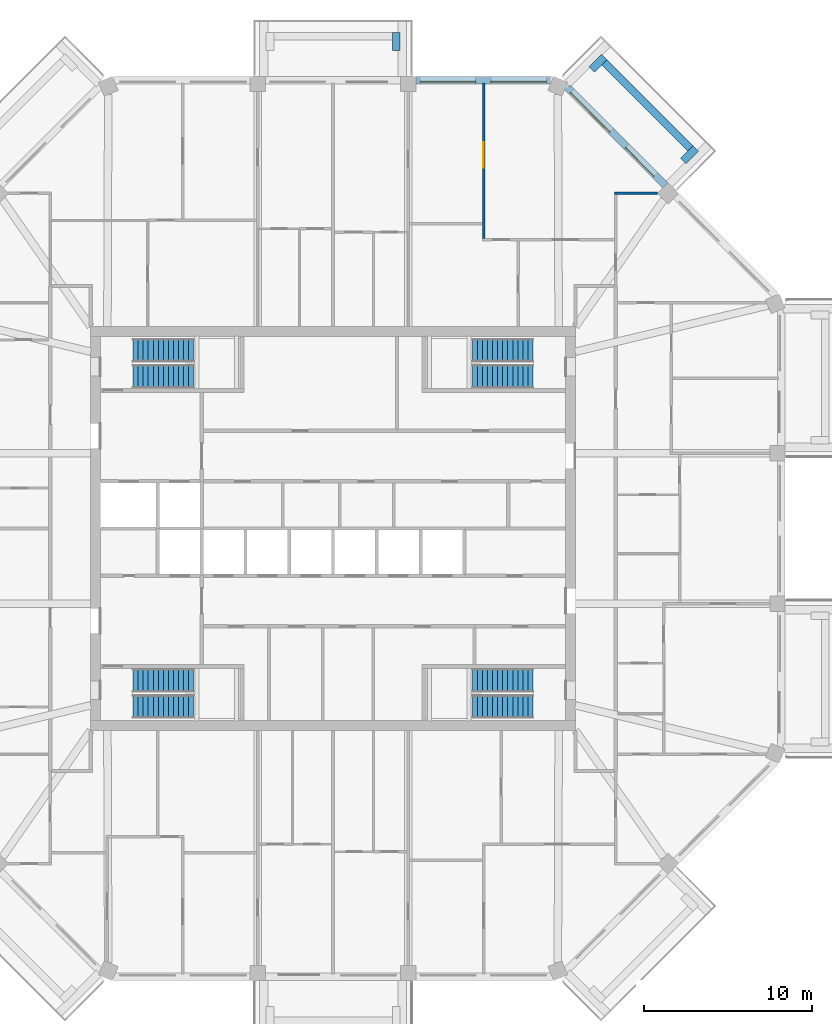
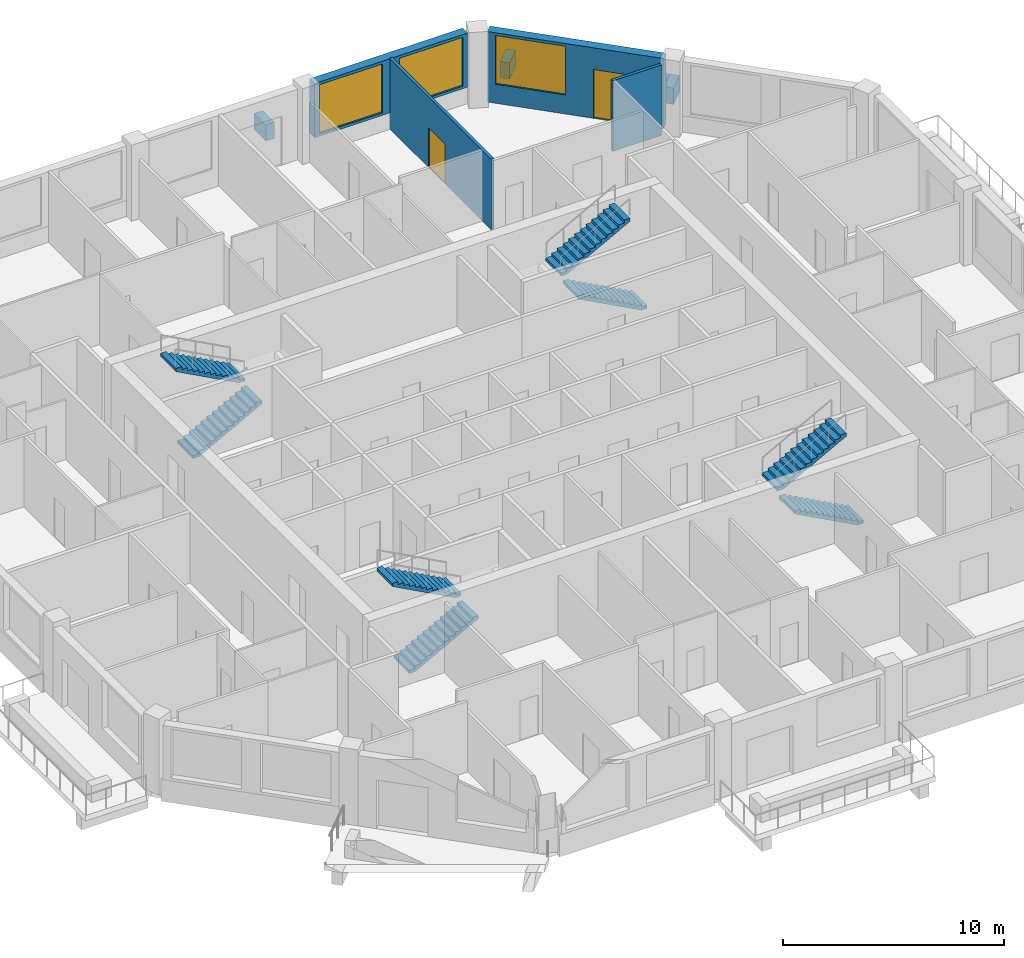
# One storey, part 10 of 12: 8 stair flights, 8 walls, 3 windows, 2 doors, 5 openings, 4 elements without a shape of their own.
"""IFC4 building model written with IfcOpenShell, lengths in metres."""

from ifc_helpers import new_model, si_unit, direction, frame, frame_2d, origin, place, context, subcontext, project, spatial, polyline, rectangle, outline, extrude, material, layer, layer_set, type_object, element, fill, aggregate, save


model = new_model("IFC4")

# Units and contexts
model_context = context("Model", 3, precision=1e-05, world=origin(), true_north=direction((0.0, 1.0)))
body_context = subcontext(model_context, "Body", "Model", "MODEL_VIEW")
ifc_project = project(units=[si_unit("LENGTHUNIT", "METRE"), si_unit("AREAUNIT", "SQUARE_METRE"), si_unit("VOLUMEUNIT", "CUBIC_METRE"), si_unit("PLANEANGLEUNIT", "RADIAN"), si_unit("MASSUNIT", "GRAM", prefix="KILO")], contexts=[model_context])

# Site, building, storey
site_placement = place(None, origin())
site = spatial("IfcSite", under=ifc_project, at=site_placement, CompositionType="ELEMENT")
building_placement = place(site_placement, origin())
building = spatial("IfcBuilding", under=site, at=building_placement, Name="Msitu Wima Residences", CompositionType="ELEMENT")
storey_placement = place(building_placement, frame((0.0, 0.0, 310.5)))
storey = spatial("IfcBuildingStorey", under=building, at=storey_placement, Name="L72", CompositionType="ELEMENT", Elevation=310.5)

# Walls
ifc_material_1 = material(Name="Facing brick")
ifc_layer_1 = layer(ifc_material_1, 0.06494140625, Name="Facing brick")
ifc_material_2 = material(Name="Concrete C40/50", Category="concrete")
ifc_layer_2 = layer(ifc_material_2, 0.156005859375, Name="Concrete C40/50")
ifc_material_3 = material(Name="Waterproofing membrane")
ifc_layer_3 = layer(ifc_material_3, 0.00390625, Name="Waterproofing membrane")
ifc_material_4 = material(Name="Planting soil and planting")
ifc_layer_4 = layer(ifc_material_4, 0.22509765625, Name="Planting soil and planting")
ifc_layer_set_1 = layer_set([ifc_layer_1, ifc_layer_2, ifc_layer_3, ifc_layer_4], Name="Concrete C40/50")
wall_type_1 = type_object("IfcWallType", Name="Balcony planter PLANTER PL450", PredefinedType="USERDEFINED", material=ifc_layer_set_1)
wall_1_placement = place(storey_placement, frame((21.228759765625, 22.572265625, 0.0), z_axis=(0.0, 0.0, 1.0), x_axis=(-0.707106781187, 0.707106781187, 0.0)))
element("IfcWall", 1, at=wall_1_placement, inside=storey, type_object=wall_type_1, Name="Balcony planter NE1 L72", ObjectType="PLANTER", PredefinedType="USERDEFINED", context=body_context, shape_type="SweptSolid", body=[
    extrude(rectangle(XDim=7.23828125, YDim=0.449951171875, at=frame_2d((3.619140625, 0.0))), origin(), (0.0, 0.0, 1.0), 0.89990234375),
])
for number, where, z_axis, x_axis, name in (
    (2, (20.804443359375, 21.829833984375, 0.0), (0.0, 0.0, 1.0), (0.707106781187, 0.707106781187, 0.0), "Balcony planter NE1 L72"),
    (3, (15.3681640625, 27.26611328125, 0.0), (0.0, 0.0, 1.0), (0.706990528533, 0.707223014731, 0.0), "Balcony planter NE1 L72"),
    (4, (3.74365234375, 28.39990234375, 0.0), (0.0, 0.0, 1.0), (0.0, 1.0, 0.0), "Balcony planter N1 L72"),
):
    element("IfcWall", number, at=place(storey_placement, frame(where, z_axis=z_axis, x_axis=x_axis)), inside=storey, type_object=wall_type_1, Name=name, ObjectType="PLANTER", PredefinedType="USERDEFINED", context=body_context, shape_type="SweptSolid", body=[
        extrude(rectangle(XDim=1.050048828125, YDim=0.449951171875, at=frame_2d((0.52490234375, 0.0))), origin(), (0.0, 0.0, 1.0), 0.89990234375),
    ])

# Wall, openings, door, window
ifc_material_5 = material(Name="Brick (red buff mix)", Category="masonry")
ifc_layer_5 = layer(ifc_material_5, 0.449951171875)
ifc_layer_set_2 = layer_set([ifc_layer_5], Name="Brick (red buff mix)")
wall_type_2 = type_object("IfcWallType", Name="Brick infill wall BW450", PredefinedType="SOLIDWALL", material=ifc_layer_set_2)
wall_2_placement = place(storey_placement, frame((19.743896484375, 20.380126953125, 0.0), z_axis=(0.0, 0.0, 1.0), x_axis=(-0.707106781187, 0.707106781187, 0.0)))
wall_2 = element("IfcWall", 5, at=wall_2_placement, inside=storey, type_object=wall_type_2, Name="Brick infill wall L72 NE1", PredefinedType="SOLIDWALL", context=body_context, shape_type="SweptSolid", body=[
    extrude(rectangle(XDim=8.251220703125, YDim=0.449951171875, at=frame_2d((4.12548828125, 0.0))), origin(), (0.0, 0.0, 1.0), 3.89990234375),
])
opening_1_placement = place(wall_2_placement, frame((0.86279296875, 0.0, 0.0)))
opening_1 = element("IfcOpeningElement", 6, at=opening_1_placement, cuts=wall_2, Name="Opening D72.004", PredefinedType="OPENING", context=body_context, shape_type="SweptSolid", body=[
    extrude(rectangle(XDim=2.39990234375, YDim=2.699951171875, at=frame_2d((1.199951171875, 1.35009765625))), frame((0.0, 0.23486328125, 0.0), z_axis=(0.0, -1.0, 0.0), x_axis=(1.0, 0.0, 0.0)), (0.0, 0.0, 1.0), 0.469970703125),
])
opening_2_placement = place(wall_2_placement, frame((4.57568359375, 0.0, 1.050048828125)))
opening_2 = element("IfcOpeningElement", 7, at=opening_2_placement, cuts=wall_2, Name="Opening W72.012", PredefinedType="OPENING", context=body_context, shape_type="SweptSolid", body=[
    extrude(rectangle(XDim=3.300048828125, YDim=2.699951171875, at=frame_2d((1.64990234375, 1.35009765625))), frame((0.0, 0.23486328125, 0.0), z_axis=(0.0, -1.0, 0.0), x_axis=(1.0, 0.0, 0.0)), (0.0, 0.0, 1.0), 0.469970703125),
])
ifc_material_6 = material(Name="Anodised aluminium, bronze finish, clear low-emissivity double glazing", Category="aluminium")
door_type_1 = type_object("IfcDoorType", Name="Balcony door D2400x2700", OperationType="SLIDING_TO_LEFT", PredefinedType="DOOR", material=ifc_material_6)
door_1_placement = place(opening_1_placement, origin())
door_1 = element("IfcDoor", 8, at=door_1_placement, inside=storey, type_object=door_type_1, Name="Balcony door L72 NE1", OperationType="SINGLE_SWING_LEFT", OverallHeight=2.699951171875, OverallWidth=2.39990234375, PredefinedType="DOOR", context=body_context, shape_type="SweptSolid", body=[
    extrude(rectangle(XDim=2.39990234375, YDim=2.699951171875, at=frame_2d((1.199951171875, 1.35009765625))), frame((0.0, 0.1298828125, 0.0), z_axis=(0.0, -1.0, 0.0), x_axis=(1.0, 0.0, 0.0)), (0.0, 0.0, 1.0), 0.050048828125),
])
fill(opening_1, door_1)
window_type = type_object("IfcWindowType", Name="Window W3300x2700", PartitioningType="DOUBLE_PANEL_VERTICAL", PredefinedType="WINDOW", material=ifc_material_6)
window_1_placement = place(opening_2_placement, origin())
window_1 = element("IfcWindow", 9, at=window_1_placement, inside=storey, type_object=window_type, Name="Window L72 NE1.2", OverallHeight=2.699951171875, OverallWidth=3.300048828125, PartitioningType="SINGLE_PANEL", PredefinedType="WINDOW", context=body_context, shape_type="SweptSolid", body=[
    extrude(rectangle(XDim=3.300048828125, YDim=2.699951171875, at=frame_2d((1.64990234375, 1.35009765625))), frame((0.0, 0.135009765625, 0.0), z_axis=(0.0, -1.0, 0.0), x_axis=(1.0, 0.0, 0.0)), (0.0, 0.0, 1.0), 0.06005859375),
])
fill(opening_2, window_1)

# Wall, openings, windows
wall_3_placement = place(storey_placement, frame((12.918701171875, 26.625, 0.89990234375), z_axis=(0.0, 0.0, 1.0), x_axis=(-1.0, 0.0, 0.0)))
wall_3 = element("IfcWall", 10, at=wall_3_placement, inside=storey, type_object=wall_type_2, Name="Brick infill wall L72 N0", PredefinedType="SOLIDWALL", context=body_context, shape_type="SweptSolid", body=[
    extrude(rectangle(XDim=8.0, YDim=0.449951171875, at=frame_2d((4.0, 0.0))), origin(), (0.0, 0.0, 1.0), 3.0),
])
opening_3_placement = place(wall_3_placement, frame((0.25, 0.0, 0.14990234375)))
opening_3 = element("IfcOpeningElement", 11, at=opening_3_placement, cuts=wall_3, Name="Opening W72.005", PredefinedType="OPENING", context=body_context, shape_type="SweptSolid", body=[
    extrude(rectangle(XDim=3.300048828125, YDim=2.699951171875, at=frame_2d((1.64990234375, 1.35009765625))), frame((0.0, 0.23486328125, 0.0), z_axis=(0.0, -1.0, 0.0), x_axis=(1.0, 0.0, 0.0)), (0.0, 0.0, 1.0), 0.469970703125),
])
opening_4_placement = place(wall_3_placement, frame((4.4501953125, 0.0, 0.14990234375)))
opening_4 = element("IfcOpeningElement", 12, at=opening_4_placement, cuts=wall_3, Name="Opening W72.006", PredefinedType="OPENING", context=body_context, shape_type="SweptSolid", body=[
    extrude(rectangle(XDim=3.300048828125, YDim=2.699951171875, at=frame_2d((1.64990234375, 1.35009765625))), frame((0.0, 0.23486328125, 0.0), z_axis=(0.0, -1.0, 0.0), x_axis=(1.0, 0.0, 0.0)), (0.0, 0.0, 1.0), 0.469970703125),
])
window_2_placement = place(opening_3_placement, origin())
window_2 = element("IfcWindow", 13, at=window_2_placement, inside=storey, type_object=window_type, Name="Window L72 N0.1", OverallHeight=2.699951171875, OverallWidth=3.300048828125, PartitioningType="SINGLE_PANEL", PredefinedType="WINDOW", context=body_context, shape_type="SweptSolid", body=[
    extrude(rectangle(XDim=3.300048828125, YDim=2.699951171875, at=frame_2d((1.64990234375, 1.35009765625))), frame((0.0, 0.135009765625, 0.0), z_axis=(0.0, -1.0, 0.0), x_axis=(1.0, 0.0, 0.0)), (0.0, 0.0, 1.0), 0.06005859375),
])
fill(opening_3, window_2)
window_3_placement = place(opening_4_placement, origin())
window_3 = element("IfcWindow", 14, at=window_3_placement, inside=storey, type_object=window_type, Name="Window L72 N0.2", OverallHeight=2.699951171875, OverallWidth=3.300048828125, PartitioningType="SINGLE_PANEL", PredefinedType="WINDOW", context=body_context, shape_type="SweptSolid", body=[
    extrude(rectangle(XDim=3.300048828125, YDim=2.699951171875, at=frame_2d((1.64990234375, 1.35009765625))), frame((0.0, 0.135009765625, 0.0), z_axis=(0.0, -1.0, 0.0), x_axis=(1.0, 0.0, 0.0)), (0.0, 0.0, 1.0), 0.06005859375),
])
fill(opening_4, window_3)

# Wall, opening, door
ifc_material_7 = material(Name="Plaster")
ifc_layer_6 = layer(ifc_material_7, 0.011962890625, Name="Plaster")
ifc_material_8 = material(Name="Concrete blockwork", Category="masonry")
ifc_layer_7 = layer(ifc_material_8, 0.1259765625, Name="Concrete blockwork")
ifc_layer_8 = layer(ifc_material_7, 0.011962890625, Name="Plaster")
ifc_layer_set_3 = layer_set([ifc_layer_6, ifc_layer_7, ifc_layer_8], Name="Concrete blockwork")
wall_type_3 = type_object("IfcWallType", Name="Partition PW150", PredefinedType="PARTITIONING", material=ifc_layer_set_3)
wall_4_placement = place(storey_placement, frame((8.937255859375, 17.22509765625, 0.0), z_axis=(0.0, 0.0, 1.0), x_axis=(0.0, 1.0, 0.0)))
wall_4 = element("IfcWall", 15, at=wall_4_placement, inside=storey, type_object=wall_type_3, Name="Partition", PredefinedType="PARTITIONING", context=body_context, shape_type="SweptSolid", body=[
    extrude(rectangle(XDim=9.22998046875, YDim=0.14990234375, at=frame_2d((4.614990234375, 0.0))), origin(), (0.0, 0.0, 1.0), 3.89990234375),
])
opening_5_placement = place(wall_4_placement, frame((4.199951171875, 0.0, 0.0)))
opening_5 = element("IfcOpeningElement", 16, at=opening_5_placement, cuts=wall_4, Name="Opening D72.021", PredefinedType="OPENING", context=body_context, shape_type="SweptSolid", body=[
    extrude(rectangle(XDim=1.5, YDim=2.199951171875, at=frame_2d((0.75, 1.10009765625))), frame((0.0, 0.0849609375, 0.0), z_axis=(0.0, -1.0, 0.0), x_axis=(1.0, 0.0, 0.0)), (0.0, 0.0, 1.0), 0.169921875),
])
ifc_material_9 = material(Name="Timber double door", Category="wood")
door_type_2 = type_object("IfcDoorType", Name="Double door D04 1500x2200", OperationType="DOUBLE_DOOR_SINGLE_SWING", PredefinedType="DOOR", material=ifc_material_9)
door_2_placement = place(opening_5_placement, origin())
door_2 = element("IfcDoor", 17, at=door_2_placement, inside=storey, type_object=door_type_2, Name="Double door", OperationType="DOUBLE_DOOR_SINGLE_SWING", OverallHeight=2.199951171875, OverallWidth=1.5, PredefinedType="DOOR", context=body_context, shape_type="SweptSolid", body=[
    extrude(rectangle(XDim=1.5, YDim=2.199951171875, at=frame_2d((0.75, 1.10009765625))), frame((0.0, 0.02490234375, 0.0), z_axis=(0.0, -1.0, 0.0), x_axis=(1.0, 0.0, 0.0)), (0.0, 0.0, 1.0), 0.050048828125),
])
fill(opening_5, door_2)

# Wall
wall_5_placement = place(storey_placement, frame((16.72509765625, 19.90283203125, 0.0), z_axis=(0.0, 0.0, 1.0), x_axis=(1.0, 0.0, 0.0)))
element("IfcWall", 18, at=wall_5_placement, inside=storey, type_object=wall_type_3, Name="Partition", PredefinedType="PARTITIONING", context=body_context, shape_type="SweptSolid", body=[
    extrude(rectangle(XDim=2.54150390625, YDim=0.14990234375, at=frame_2d((1.270751953125, 0.0))), origin(), (0.0, 0.0, 1.0), 3.89990234375),
])

# Stair, stair flights
stair_type = type_object("IfcStairType", Name="Exit stair ES1615-140", PredefinedType="HALF_TURN_STAIR", material=ifc_material_2)
stair_1_placement = place(storey_placement, origin())
stair_1 = element("IfcStair", 19, at=stair_1_placement, inside=storey, type_object=stair_type, Name="Exit stair 1", PredefinedType="HALF_TURN_STAIR")
stair_flight_type = type_object("IfcStairFlightType", Name="Exit stair flight ES1615-140", PredefinedType="STRAIGHT", material=ifc_material_2)
stair_flight_1_placement = place(storey_placement, frame((-11.875, 9.02490234375, 0.0), z_axis=(0.0, 0.0, 1.0), x_axis=(1.0, 0.0, 0.0)))
stair_flight_1 = element("IfcStairFlight", 20, at=stair_flight_1_placement, type_object=stair_flight_type, Name="S1 flight 1", NumberOfRisers=13, NumberOfTreads=12, PredefinedType="STRAIGHT", RiserHeight=0.161538462, TreadLength=0.3, context=body_context, shape_type="SweptSolid", body=[
    extrude(outline(polyline([(0.0, 0.0), (0.0, 0.16162109375), (0.300048828125, 0.16162109375), (0.300048828125, 0.322998046875), (0.60009765625, 0.322998046875), (0.60009765625, 0.484619140625), (0.89990234375, 0.484619140625), (0.89990234375, 0.646240234375), (1.199951171875, 0.646240234375), (1.199951171875, 0.8076171875), (1.5, 0.8076171875), (1.5, 0.96923828125), (1.800048828125, 0.96923828125), (1.800048828125, 1.130859375), (2.10009765625, 1.130859375), (2.10009765625, 1.292236328125), (2.39990234375, 1.292236328125), (2.39990234375, 1.453857421875), (2.699951171875, 1.453857421875), (2.699951171875, 1.615478515625), (3.0, 1.615478515625), (3.0, 1.77685546875), (3.300048828125, 1.77685546875), (3.300048828125, 1.9384765625), (3.60009765625, 1.9384765625), (3.60009765625, 2.10009765625), (3.60009765625, 1.768310546875), (0.316162109375, 0.0), (0.0, 0.0)])), frame((0.0, 0.699951171875, 0.0), z_axis=(0.0, -1.0, 0.0), x_axis=(1.0, 0.0, 0.0)), (0.0, 0.0, 1.0), 1.39990234375),
])
stair_flight_2_placement = place(storey_placement, frame((-8.27490234375, 10.574951171875, 2.10009765625), z_axis=(0.0, 0.0, 1.0), x_axis=(-1.0, 0.0, 0.0)))
stair_flight_2 = element("IfcStairFlight", 21, at=stair_flight_2_placement, type_object=stair_flight_type, Name="S1 flight 2", NumberOfRisers=13, NumberOfTreads=12, PredefinedType="STRAIGHT", RiserHeight=0.161538462, TreadLength=0.3, context=body_context, shape_type="SweptSolid", body=[
    extrude(outline(polyline([(0.0, 0.0), (0.0, 0.16162109375), (0.300048828125, 0.16162109375), (0.300048828125, 0.322998046875), (0.60009765625, 0.322998046875), (0.60009765625, 0.484619140625), (0.89990234375, 0.484619140625), (0.89990234375, 0.646240234375), (1.199951171875, 0.646240234375), (1.199951171875, 0.8076171875), (1.5, 0.8076171875), (1.5, 0.96923828125), (1.800048828125, 0.96923828125), (1.800048828125, 1.130859375), (2.10009765625, 1.130859375), (2.10009765625, 1.292236328125), (2.39990234375, 1.292236328125), (2.39990234375, 1.453857421875), (2.699951171875, 1.453857421875), (2.699951171875, 1.615478515625), (3.0, 1.615478515625), (3.0, 1.77685546875), (3.300048828125, 1.77685546875), (3.300048828125, 1.9384765625), (3.60009765625, 1.9384765625), (3.60009765625, 2.10009765625), (3.60009765625, 1.768310546875), (0.316162109375, 0.0), (0.0, 0.0)])), frame((0.0, 0.699951171875, 0.0), z_axis=(0.0, -1.0, 0.0), x_axis=(1.0, 0.0, 0.0)), (0.0, 0.0, 1.0), 1.39990234375),
])
aggregate(stair_1, [stair_flight_1, stair_flight_2])

stair_2_placement = place(storey_placement, origin())
stair_2 = element("IfcStair", 22, at=stair_2_placement, inside=storey, type_object=stair_type, Name="Exit stair 2", PredefinedType="HALF_TURN_STAIR")
stair_flight_3_placement = place(storey_placement, frame((-11.875, -10.574951171875, 0.0), z_axis=(0.0, 0.0, 1.0), x_axis=(1.0, 0.0, 0.0)))
stair_flight_3 = element("IfcStairFlight", 23, at=stair_flight_3_placement, type_object=stair_flight_type, Name="S2 flight 1", NumberOfRisers=13, NumberOfTreads=12, PredefinedType="STRAIGHT", RiserHeight=0.161538462, TreadLength=0.3, context=body_context, shape_type="SweptSolid", body=[
    extrude(outline(polyline([(0.0, 0.0), (0.0, 0.16162109375), (0.300048828125, 0.16162109375), (0.300048828125, 0.322998046875), (0.60009765625, 0.322998046875), (0.60009765625, 0.484619140625), (0.89990234375, 0.484619140625), (0.89990234375, 0.646240234375), (1.199951171875, 0.646240234375), (1.199951171875, 0.8076171875), (1.5, 0.8076171875), (1.5, 0.96923828125), (1.800048828125, 0.96923828125), (1.800048828125, 1.130859375), (2.10009765625, 1.130859375), (2.10009765625, 1.292236328125), (2.39990234375, 1.292236328125), (2.39990234375, 1.453857421875), (2.699951171875, 1.453857421875), (2.699951171875, 1.615478515625), (3.0, 1.615478515625), (3.0, 1.77685546875), (3.300048828125, 1.77685546875), (3.300048828125, 1.9384765625), (3.60009765625, 1.9384765625), (3.60009765625, 2.10009765625), (3.60009765625, 1.768310546875), (0.316162109375, 0.0), (0.0, 0.0)])), frame((0.0, 0.699951171875, 0.0), z_axis=(0.0, -1.0, 0.0), x_axis=(1.0, 0.0, 0.0)), (0.0, 0.0, 1.0), 1.39990234375),
])
stair_flight_4_placement = place(storey_placement, frame((-8.27490234375, -9.02490234375, 2.10009765625), z_axis=(0.0, 0.0, 1.0), x_axis=(-1.0, 0.0, 0.0)))
stair_flight_4 = element("IfcStairFlight", 24, at=stair_flight_4_placement, type_object=stair_flight_type, Name="S2 flight 2", NumberOfRisers=13, NumberOfTreads=12, PredefinedType="STRAIGHT", RiserHeight=0.161538462, TreadLength=0.3, context=body_context, shape_type="SweptSolid", body=[
    extrude(outline(polyline([(0.0, 0.0), (0.0, 0.16162109375), (0.300048828125, 0.16162109375), (0.300048828125, 0.322998046875), (0.60009765625, 0.322998046875), (0.60009765625, 0.484619140625), (0.89990234375, 0.484619140625), (0.89990234375, 0.646240234375), (1.199951171875, 0.646240234375), (1.199951171875, 0.8076171875), (1.5, 0.8076171875), (1.5, 0.96923828125), (1.800048828125, 0.96923828125), (1.800048828125, 1.130859375), (2.10009765625, 1.130859375), (2.10009765625, 1.292236328125), (2.39990234375, 1.292236328125), (2.39990234375, 1.453857421875), (2.699951171875, 1.453857421875), (2.699951171875, 1.615478515625), (3.0, 1.615478515625), (3.0, 1.77685546875), (3.300048828125, 1.77685546875), (3.300048828125, 1.9384765625), (3.60009765625, 1.9384765625), (3.60009765625, 2.10009765625), (3.60009765625, 1.768310546875), (0.316162109375, 0.0), (0.0, 0.0)])), frame((0.0, 0.699951171875, 0.0), z_axis=(0.0, -1.0, 0.0), x_axis=(1.0, 0.0, 0.0)), (0.0, 0.0, 1.0), 1.39990234375),
])
aggregate(stair_2, [stair_flight_3, stair_flight_4])

stair_3_placement = place(storey_placement, origin())
stair_3 = element("IfcStair", 25, at=stair_3_placement, inside=storey, type_object=stair_type, Name="Exit stair 3", PredefinedType="HALF_TURN_STAIR")
stair_flight_5_placement = place(storey_placement, frame((11.875, 9.02490234375, 0.0), z_axis=(0.0, 0.0, 1.0), x_axis=(-1.0, 0.0, 0.0)))
stair_flight_5 = element("IfcStairFlight", 26, at=stair_flight_5_placement, type_object=stair_flight_type, Name="S3 flight 1", NumberOfRisers=13, NumberOfTreads=12, PredefinedType="STRAIGHT", RiserHeight=0.161538462, TreadLength=0.3, context=body_context, shape_type="SweptSolid", body=[
    extrude(outline(polyline([(0.0, 0.0), (0.0, 0.16162109375), (0.300048828125, 0.16162109375), (0.300048828125, 0.322998046875), (0.60009765625, 0.322998046875), (0.60009765625, 0.484619140625), (0.89990234375, 0.484619140625), (0.89990234375, 0.646240234375), (1.199951171875, 0.646240234375), (1.199951171875, 0.8076171875), (1.5, 0.8076171875), (1.5, 0.96923828125), (1.800048828125, 0.96923828125), (1.800048828125, 1.130859375), (2.10009765625, 1.130859375), (2.10009765625, 1.292236328125), (2.39990234375, 1.292236328125), (2.39990234375, 1.453857421875), (2.699951171875, 1.453857421875), (2.699951171875, 1.615478515625), (3.0, 1.615478515625), (3.0, 1.77685546875), (3.300048828125, 1.77685546875), (3.300048828125, 1.9384765625), (3.60009765625, 1.9384765625), (3.60009765625, 2.10009765625), (3.60009765625, 1.768310546875), (0.316162109375, 0.0), (0.0, 0.0)])), frame((0.0, 0.699951171875, 0.0), z_axis=(0.0, -1.0, 0.0), x_axis=(1.0, 0.0, 0.0)), (0.0, 0.0, 1.0), 1.39990234375),
])
stair_flight_6_placement = place(storey_placement, frame((8.27490234375, 10.574951171875, 2.10009765625), z_axis=(0.0, 0.0, 1.0), x_axis=(1.0, 0.0, 0.0)))
stair_flight_6 = element("IfcStairFlight", 27, at=stair_flight_6_placement, type_object=stair_flight_type, Name="S3 flight 2", NumberOfRisers=13, NumberOfTreads=12, PredefinedType="STRAIGHT", RiserHeight=0.161538462, TreadLength=0.3, context=body_context, shape_type="SweptSolid", body=[
    extrude(outline(polyline([(0.0, 0.0), (0.0, 0.16162109375), (0.300048828125, 0.16162109375), (0.300048828125, 0.322998046875), (0.60009765625, 0.322998046875), (0.60009765625, 0.484619140625), (0.89990234375, 0.484619140625), (0.89990234375, 0.646240234375), (1.199951171875, 0.646240234375), (1.199951171875, 0.8076171875), (1.5, 0.8076171875), (1.5, 0.96923828125), (1.800048828125, 0.96923828125), (1.800048828125, 1.130859375), (2.10009765625, 1.130859375), (2.10009765625, 1.292236328125), (2.39990234375, 1.292236328125), (2.39990234375, 1.453857421875), (2.699951171875, 1.453857421875), (2.699951171875, 1.615478515625), (3.0, 1.615478515625), (3.0, 1.77685546875), (3.300048828125, 1.77685546875), (3.300048828125, 1.9384765625), (3.60009765625, 1.9384765625), (3.60009765625, 2.10009765625), (3.60009765625, 1.768310546875), (0.316162109375, 0.0), (0.0, 0.0)])), frame((0.0, 0.699951171875, 0.0), z_axis=(0.0, -1.0, 0.0), x_axis=(1.0, 0.0, 0.0)), (0.0, 0.0, 1.0), 1.39990234375),
])
aggregate(stair_3, [stair_flight_5, stair_flight_6])

stair_4_placement = place(storey_placement, origin())
stair_4 = element("IfcStair", 28, at=stair_4_placement, inside=storey, type_object=stair_type, Name="Exit stair 4", PredefinedType="HALF_TURN_STAIR")
stair_flight_7_placement = place(storey_placement, frame((11.875, -10.574951171875, 0.0), z_axis=(0.0, 0.0, 1.0), x_axis=(-1.0, 0.0, 0.0)))
stair_flight_7 = element("IfcStairFlight", 29, at=stair_flight_7_placement, type_object=stair_flight_type, Name="S4 flight 1", NumberOfRisers=13, NumberOfTreads=12, PredefinedType="STRAIGHT", RiserHeight=0.161538462, TreadLength=0.3, context=body_context, shape_type="SweptSolid", body=[
    extrude(outline(polyline([(0.0, 0.0), (0.0, 0.16162109375), (0.300048828125, 0.16162109375), (0.300048828125, 0.322998046875), (0.60009765625, 0.322998046875), (0.60009765625, 0.484619140625), (0.89990234375, 0.484619140625), (0.89990234375, 0.646240234375), (1.199951171875, 0.646240234375), (1.199951171875, 0.8076171875), (1.5, 0.8076171875), (1.5, 0.96923828125), (1.800048828125, 0.96923828125), (1.800048828125, 1.130859375), (2.10009765625, 1.130859375), (2.10009765625, 1.292236328125), (2.39990234375, 1.292236328125), (2.39990234375, 1.453857421875), (2.699951171875, 1.453857421875), (2.699951171875, 1.615478515625), (3.0, 1.615478515625), (3.0, 1.77685546875), (3.300048828125, 1.77685546875), (3.300048828125, 1.9384765625), (3.60009765625, 1.9384765625), (3.60009765625, 2.10009765625), (3.60009765625, 1.768310546875), (0.316162109375, 0.0), (0.0, 0.0)])), frame((0.0, 0.699951171875, 0.0), z_axis=(0.0, -1.0, 0.0), x_axis=(1.0, 0.0, 0.0)), (0.0, 0.0, 1.0), 1.39990234375),
])
stair_flight_8_placement = place(storey_placement, frame((8.27490234375, -9.02490234375, 2.10009765625), z_axis=(0.0, 0.0, 1.0), x_axis=(1.0, 0.0, 0.0)))
stair_flight_8 = element("IfcStairFlight", 30, at=stair_flight_8_placement, type_object=stair_flight_type, Name="S4 flight 2", NumberOfRisers=13, NumberOfTreads=12, PredefinedType="STRAIGHT", RiserHeight=0.161538462, TreadLength=0.3, context=body_context, shape_type="SweptSolid", body=[
    extrude(outline(polyline([(0.0, 0.0), (0.0, 0.16162109375), (0.300048828125, 0.16162109375), (0.300048828125, 0.322998046875), (0.60009765625, 0.322998046875), (0.60009765625, 0.484619140625), (0.89990234375, 0.484619140625), (0.89990234375, 0.646240234375), (1.199951171875, 0.646240234375), (1.199951171875, 0.8076171875), (1.5, 0.8076171875), (1.5, 0.96923828125), (1.800048828125, 0.96923828125), (1.800048828125, 1.130859375), (2.10009765625, 1.130859375), (2.10009765625, 1.292236328125), (2.39990234375, 1.292236328125), (2.39990234375, 1.453857421875), (2.699951171875, 1.453857421875), (2.699951171875, 1.615478515625), (3.0, 1.615478515625), (3.0, 1.77685546875), (3.300048828125, 1.77685546875), (3.300048828125, 1.9384765625), (3.60009765625, 1.9384765625), (3.60009765625, 2.10009765625), (3.60009765625, 1.768310546875), (0.316162109375, 0.0), (0.0, 0.0)])), frame((0.0, 0.699951171875, 0.0), z_axis=(0.0, -1.0, 0.0), x_axis=(1.0, 0.0, 0.0)), (0.0, 0.0, 1.0), 1.39990234375),
])
aggregate(stair_4, [stair_flight_7, stair_flight_8])

save(model, "model.ifc")
